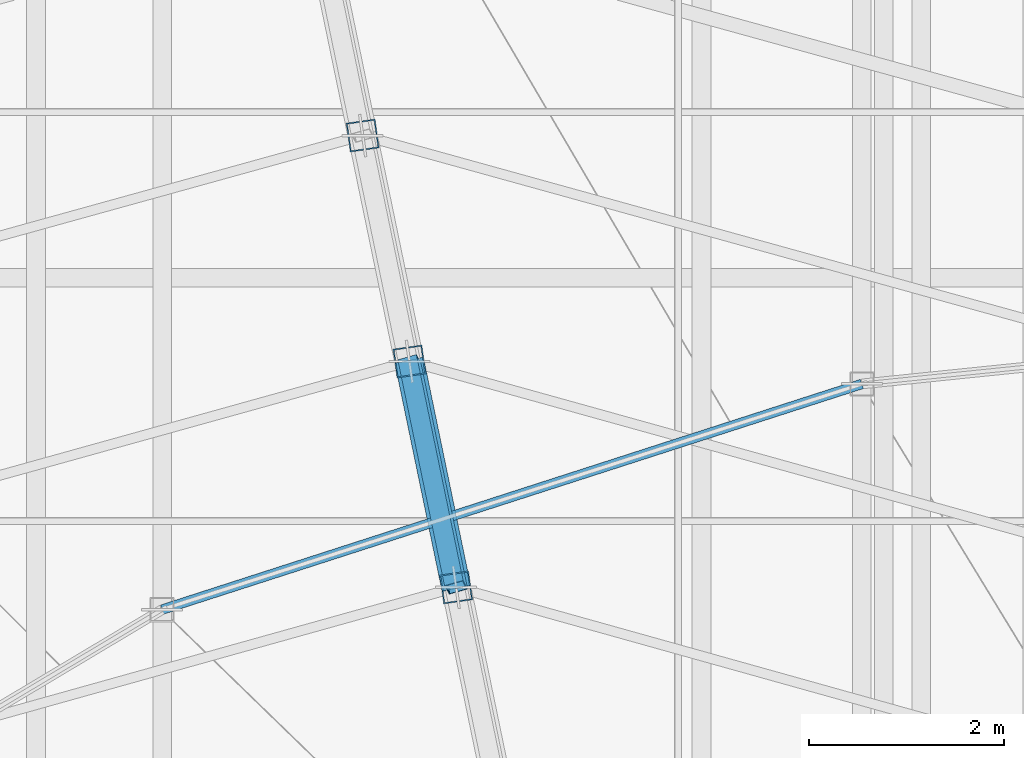
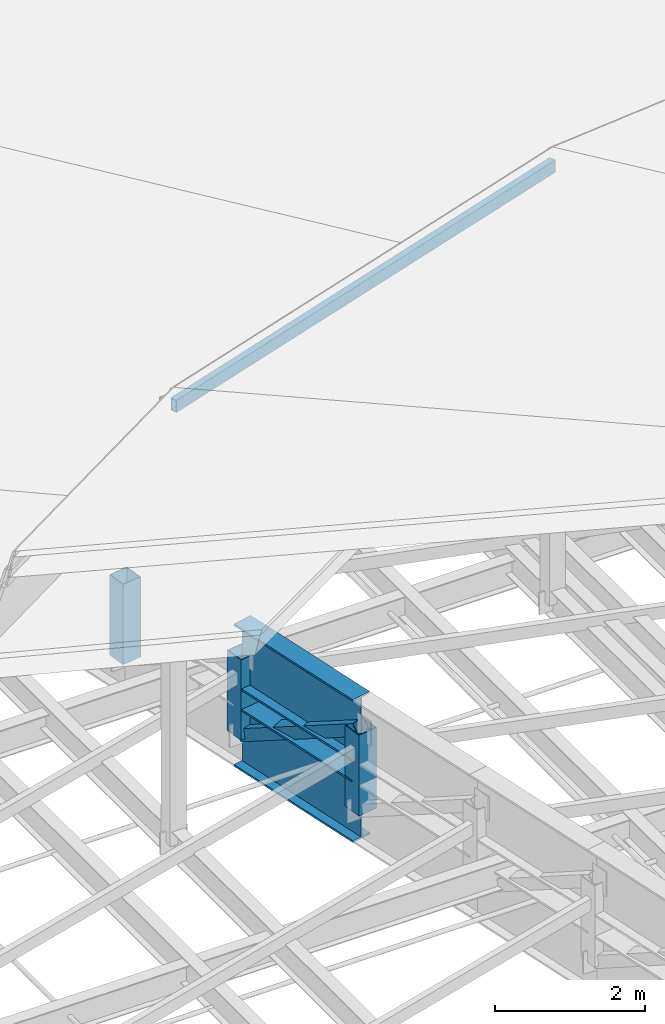
# One storey, part 112 of 184: 5 members, 2 beams.
"""IFC4 building model written with IfcOpenShell, lengths in metres."""

from ifc_helpers import new_model, si_unit, direction, frame, origin, origin_2d, place, context, subcontext, project, spatial, hollow_rectangle, i_section, extrude, material, material_profile, profile_set, type_object, element, save


model = new_model("IFC4")

# Units and contexts
model_context = context("Model", 3, precision=1e-05, world=origin(), true_north=direction((0.0, 1.0)))
body_context = subcontext(model_context, "Body", "Model", "MODEL_VIEW")
ifc_project = project(units=[si_unit("LENGTHUNIT", "METRE"), si_unit("AREAUNIT", "SQUARE_METRE"), si_unit("VOLUMEUNIT", "CUBIC_METRE"), si_unit("PLANEANGLEUNIT", "RADIAN"), si_unit("MASSUNIT", "GRAM", prefix="KILO")], contexts=[model_context])

# Site, building, storey
site_placement = place(None, origin())
site = spatial("IfcSite", under=ifc_project, at=site_placement, CompositionType="ELEMENT")
building_placement = place(site_placement, origin())
building = spatial("IfcBuilding", under=site, at=building_placement, Name="Kalgoora Escarpment Arena", CompositionType="ELEMENT")
storey_placement = place(building_placement, frame((0.0, 0.0, 27.60009765625)))
storey = spatial("IfcBuildingStorey", under=building, at=storey_placement, Name="Roof Level", CompositionType="ELEMENT", Elevation=27.60009765625)

# Beams
ifc_material_1 = material(Name="Structural steel Grade 350 (350 MPa)", Category="steel")
ifc_material_profile_1 = material_profile(ifc_material_1, i_section(OverallWidth=0.300048828125, OverallDepth=1.010009765625, WebThickness=0.01611328125, FlangeThickness=0.030029296875, at=origin_2d()))
ifc_profile_set_1 = profile_set([ifc_material_profile_1], Name="Structural steel Grade 350 (350 MPa)")
beam_type = type_object("IfcBeamType", Name="BM-TRUSS-CHORD", PredefinedType="USERDEFINED", material=ifc_profile_set_1)
for number, where, z_axis, x_axis, name in (
    (1, (93.837646484375, 86.65185546875, -1.635009765625), (0.202584943891, -0.979262568659, 0.002040130351), (0.979264606575, 0.202585365485, 0.0), "Radial ROOF TRUSS spine 3 bottom chord 5"),
    (2, (93.837646484375, 86.65185546875, -0.320068359375), (0.202583593754, -0.979256042318, 0.004182239347), (0.979264606575, 0.202585365485, 0.0), "Radial ROOF TRUSS spine 3 top chord 5"),
):
    element("IfcBeam", number, at=place(storey_placement, frame(where, z_axis=z_axis, x_axis=x_axis)), inside=storey, type_object=beam_type, Name=name, ObjectType="GIRDER", PredefinedType="USERDEFINED", context=body_context, shape_type="SweptSolid", body=[
        extrude(i_section(OverallWidth=0.300048828125, OverallDepth=1.010009765625, WebThickness=0.01611328125, FlangeThickness=0.030029296875, at=origin_2d()), origin(), (0.0, 0.0, 1.0), 2.393310546875),
    ])

# Members
ifc_material_2 = material(Name="Structural steel C350 (350 MPa)", Category="steel")
ifc_material_profile_2 = material_profile(ifc_material_2, hollow_rectangle(XDim=0.10009765625, YDim=0.199951171875, WallThickness=0.009033203125, at=origin_2d()))
ifc_profile_set_2 = profile_set([ifc_material_profile_2], Name="Structural steel C350 (350 MPa)")
member_type_1 = type_object("IfcMemberType", Name="MEM-PURLIN-RHS", PredefinedType="PURLIN", material=ifc_profile_set_2)
member_1_placement = place(storey_placement, frame((98.4873046875, 86.409423828125, 6.125), z_axis=(-0.951741215893, -0.306901707343, 0.0), x_axis=(0.306901707343, -0.951741215893, 0.0)))
element("IfcMember", 3, at=member_1_placement, inside=storey, type_object=member_type_1, Name="Petal RP4 eave support ring purlin S08", PredefinedType="PURLIN", context=body_context, shape_type="SweptSolid", body=[
    extrude(hollow_rectangle(XDim=0.10009765625, YDim=0.199951171875, WallThickness=0.009033203125, at=origin_2d()), origin(), (0.0, 0.0, 1.0), 7.5517578125),
])
ifc_material_3 = material(Name="Structural steel C350 (350 MPa)", Category="steel")
ifc_material_profile_3 = material_profile(ifc_material_3, hollow_rectangle(XDim=0.199951171875, YDim=0.199951171875, WallThickness=0.009033203125, at=origin_2d()))
ifc_profile_set_3 = profile_set([ifc_material_profile_3], Name="Structural steel C350 (350 MPa)")
member_type_2 = type_object("IfcMemberType", Name="MEM-TRUSS-DIAG", PredefinedType="BRACE", material=ifc_profile_set_3)
member_2_placement = place(storey_placement, frame((93.840087890625, 86.639892578125, -1.635009765625), z_axis=(0.176833537507, -0.854665449334, 0.488136118032), x_axis=(0.236394850847, -0.444554187717, -0.863995977234)))
element("IfcMember", 4, at=member_2_placement, inside=storey, type_object=member_type_2, Name="Radial ROOF TRUSS spine 3 web diagonal 5", PredefinedType="BRACE", context=body_context, shape_type="SweptSolid", body=[
    extrude(hollow_rectangle(XDim=0.199951171875, YDim=0.199951171875, WallThickness=0.009033203125, at=origin_2d()), origin(), (0.0, 0.0, 1.0), 2.71435546875),
])
ifc_material_4 = material(Name="Structural steel C450 (450 MPa)", Category="steel")
ifc_material_profile_4 = material_profile(ifc_material_4, hollow_rectangle(XDim=0.300048828125, YDim=0.300048828125, WallThickness=0.012451171875, at=origin_2d()))
ifc_profile_set_4 = profile_set([ifc_material_profile_4], Name="Structural steel C450 (450 MPa)")
member_type_3 = type_object("IfcMemberType", Name="MEM-TRUSS-POST", PredefinedType="POST", material=ifc_profile_set_4)
member_3_placement = place(storey_placement, frame((93.360107421875, 88.9599609375, -1.64013671875), z_axis=(0.0, 0.0, 1.0), x_axis=(0.141419587774, -0.989949746297, 0.0)))
element("IfcMember", 5, at=member_3_placement, inside=storey, type_object=member_type_3, Name="Radial ROOF TRUSS spine 3 post 3", PredefinedType="POST", context=body_context, shape_type="SweptSolid", body=[
    extrude(hollow_rectangle(XDim=0.300048828125, YDim=0.300048828125, WallThickness=0.012451171875, at=origin_2d()), origin(), (0.0, 0.0, 1.0), 1.31005859375),
])
member_4_placement = place(storey_placement, frame((93.840087890625, 86.639892578125, -1.635009765625), z_axis=(0.0, 0.0, 1.0), x_axis=(0.141419587774, -0.989949746297, 0.0)))
element("IfcMember", 6, at=member_4_placement, inside=storey, type_object=member_type_3, Name="Radial ROOF TRUSS spine 3 post 4", PredefinedType="POST", context=body_context, shape_type="SweptSolid", body=[
    extrude(hollow_rectangle(XDim=0.300048828125, YDim=0.300048828125, WallThickness=0.012451171875, at=origin_2d()), origin(), (0.0, 0.0, 1.0), 1.31494140625),
])
member_5_placement = place(storey_placement, frame((94.320068359375, 84.320068359375, -1.630126953125), z_axis=(0.0, 0.0, 1.0), x_axis=(0.141419587774, -0.989949746297, 0.0)))
element("IfcMember", 7, at=member_5_placement, inside=storey, type_object=member_type_3, Name="Radial ROOF TRUSS spine 3 post 5", PredefinedType="POST", context=body_context, shape_type="SweptSolid", body=[
    extrude(hollow_rectangle(XDim=0.300048828125, YDim=0.300048828125, WallThickness=0.012451171875, at=origin_2d()), origin(), (0.0, 0.0, 1.0), 1.320068359375),
])

save(model, "model.ifc")
